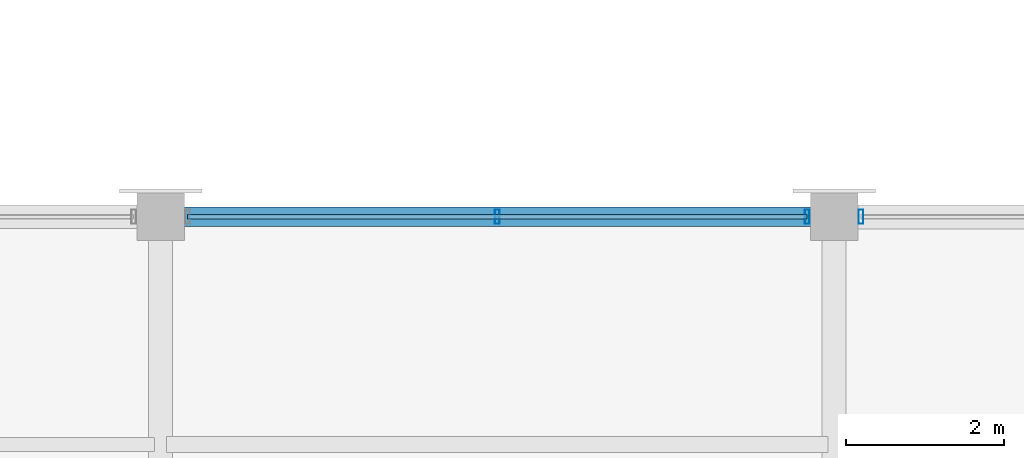
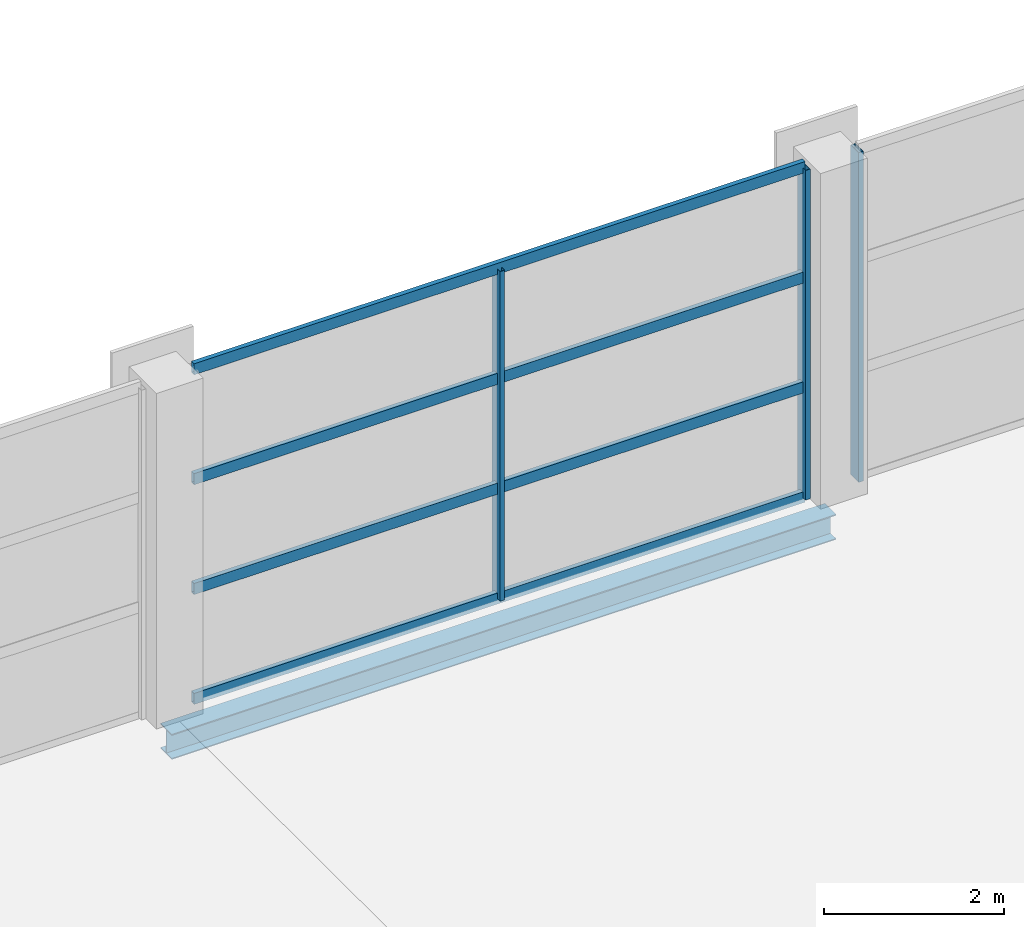
# One storey, part 16 of 46: 7 members, 1 beam, 2 elements without a shape of their own.
"""IFC4 building model written with IfcOpenShell, lengths in metres."""

from ifc_helpers import new_model, si_unit, direction, frame, origin, origin_2d, place, context, subcontext, project, spatial, hollow_rectangle, i_section, extrude, material, material_profile, profile_set, type_object, element, aggregate, save


model = new_model("IFC4")

# Units and contexts
model_context = context("Model", 3, precision=1e-05, world=origin(), true_north=direction((0.0, 1.0)))
body_context = subcontext(model_context, "Body", "Model", "MODEL_VIEW")
ifc_project = project(units=[si_unit("LENGTHUNIT", "METRE"), si_unit("AREAUNIT", "SQUARE_METRE"), si_unit("VOLUMEUNIT", "CUBIC_METRE"), si_unit("PLANEANGLEUNIT", "RADIAN"), si_unit("MASSUNIT", "GRAM", prefix="KILO")], contexts=[model_context])

# Site, building, storey
site_placement = place(None, origin())
site = spatial("IfcSite", under=ifc_project, at=site_placement, CompositionType="ELEMENT")
building_placement = place(site_placement, origin())
building = spatial("IfcBuilding", under=site, at=building_placement, Name="Solvikara Media Centre", CompositionType="ELEMENT")
storey_placement = place(building_placement, frame((0.0, 0.0, 24.60009765625)))
storey = spatial("IfcBuildingStorey", under=building, at=storey_placement, Name="L05", CompositionType="ELEMENT", Elevation=24.60009765625)

# Beam
ifc_material_1 = material(Name="Steel S355JR", Category="steel")
ifc_material_profile_1 = material_profile(ifc_material_1, i_section(OverallWidth=0.25, OverallDepth=0.340087890625, WebThickness=0.009033203125, FlangeThickness=0.013916015625, at=origin_2d()), Name="H 340x250x9x14")
ifc_profile_set_1 = profile_set([ifc_material_profile_1], Name="Steel S355JR")
beam_type = type_object("IfcBeamType", Name="BM-30", PredefinedType="BEAM", material=ifc_profile_set_1)
beam_placement = place(storey_placement, frame((51.0, 32.0, -0.4521484375), z_axis=(1.0, 0.0, 0.0), x_axis=(0.0, 1.0, 0.0)))
element("IfcBeam", 1, at=beam_placement, inside=storey, type_object=beam_type, Name="B-L05-X1648", PredefinedType="BEAM", context=body_context, shape_type="SweptSolid", body=[
    extrude(i_section(OverallWidth=0.25, OverallDepth=0.340087890625, WebThickness=0.009033203125, FlangeThickness=0.013916015625, at=origin_2d()), origin(), (0.0, 0.0, 1.0), 8.5),
])

# Curtain wall, members
ifc_material_2 = material(Name="Anodised aluminium EN AW-6063", Category="aluminium")
curtain_wall_type = type_object("IfcCurtainWallType", Name="CW-09", PredefinedType="NOTDEFINED", material=ifc_material_2)
curtain_wall_1_placement = place(storey_placement, origin())
curtain_wall_1 = element("IfcCurtainWall", 2, at=curtain_wall_1_placement, inside=storey, type_object=curtain_wall_type, Name="CW-L05-V6N-S2", PredefinedType="NOTDEFINED")
ifc_material_profile_2 = material_profile(ifc_material_2, hollow_rectangle(XDim=0.06005859375, YDim=0.179931640625, WallThickness=0.00341796875, at=origin_2d()), Name="ALU-M 60x180x3.5")
ifc_profile_set_2 = profile_set([ifc_material_profile_2], Name="Anodised aluminium EN AW-6063")
member_type_1 = type_object("IfcMemberType", Name="MF-03", PredefinedType="MULLION", material=ifc_profile_set_2)
member_1_placement = place(storey_placement, frame((55.25, 32.0, 0.02001953125), z_axis=(0.0, 0.0, 1.0), x_axis=(1.0, 0.0, 0.0)))
member_1 = element("IfcMember", 3, at=member_1_placement, type_object=member_type_1, Name="CW-L05-V6N-S2-M01", PredefinedType="MULLION", context=body_context, shape_type="SweptSolid", body=[
    extrude(hollow_rectangle(XDim=0.06005859375, YDim=0.179931640625, WallThickness=0.00341796875, at=origin_2d()), origin(), (0.0, 0.0, 1.0), 4.4599609375),
])
member_2_placement = place(storey_placement, frame((59.159912109375, 32.0, 0.02001953125), z_axis=(0.0, 0.0, 1.0), x_axis=(1.0, 0.0, 0.0)))
member_2 = element("IfcMember", 4, at=member_2_placement, type_object=member_type_1, Name="CW-L05-V6N-S2-M02", PredefinedType="MULLION", context=body_context, shape_type="SweptSolid", body=[
    extrude(hollow_rectangle(XDim=0.06005859375, YDim=0.179931640625, WallThickness=0.00341796875, at=origin_2d()), origin(), (0.0, 0.0, 1.0), 4.4599609375),
])

# Curtain wall, member
curtain_wall_2_placement = place(storey_placement, origin())
curtain_wall_2 = element("IfcCurtainWall", 5, at=curtain_wall_2_placement, inside=storey, type_object=curtain_wall_type, Name="CW-L05-V6N-S3", PredefinedType="NOTDEFINED")
member_3_placement = place(storey_placement, frame((59.840087890625, 32.0, 0.02001953125), z_axis=(0.0, 0.0, 1.0), x_axis=(1.0, 0.0, 0.0)))
member_3 = element("IfcMember", 6, at=member_3_placement, type_object=member_type_1, Name="CW-L05-V6N-S3-M00", PredefinedType="MULLION", context=body_context, shape_type="SweptSolid", body=[
    extrude(hollow_rectangle(XDim=0.06005859375, YDim=0.179931640625, WallThickness=0.00341796875, at=origin_2d()), origin(), (0.0, 0.0, 1.0), 4.4599609375),
])
aggregate(curtain_wall_2, [member_3])

# Member
ifc_material_profile_3 = material_profile(ifc_material_2, hollow_rectangle(XDim=0.06005859375, YDim=0.14990234375, WallThickness=0.0029296875, at=origin_2d()), Name="ALU-T 60x150x3")
ifc_profile_set_3 = profile_set([ifc_material_profile_3], Name="Anodised aluminium EN AW-6063")
member_type_2 = type_object("IfcMemberType", Name="MF-09", PredefinedType="USERDEFINED", material=ifc_profile_set_3)
member_4_placement = place(storey_placement, frame((51.340087890625, 32.0, 0.02001953125), z_axis=(1.0, 0.0, 0.0), x_axis=(0.0, 1.0, 0.0)))
member_4 = element("IfcMember", 7, at=member_4_placement, type_object=member_type_2, Name="CW-L05-V6N-S2-T00", ObjectType="TRANSOM", PredefinedType="USERDEFINED", context=body_context, shape_type="SweptSolid", body=[
    extrude(hollow_rectangle(XDim=0.06005859375, YDim=0.14990234375, WallThickness=0.0029296875, at=origin_2d()), origin(), (0.0, 0.0, 1.0), 7.81982421875),
])

member_5_placement = place(storey_placement, frame((51.340087890625, 32.0, 1.5068359375), z_axis=(1.0, 0.0, 0.0), x_axis=(0.0, 1.0, 0.0)))
member_5 = element("IfcMember", 8, at=member_5_placement, type_object=member_type_2, Name="CW-L05-V6N-S2-T01", ObjectType="TRANSOM", PredefinedType="USERDEFINED", context=body_context, shape_type="SweptSolid", body=[
    extrude(hollow_rectangle(XDim=0.06005859375, YDim=0.14990234375, WallThickness=0.0029296875, at=origin_2d()), origin(), (0.0, 0.0, 1.0), 7.81982421875),
])

member_6_placement = place(storey_placement, frame((51.340087890625, 32.0, 2.992919921875), z_axis=(1.0, 0.0, 0.0), x_axis=(0.0, 1.0, 0.0)))
member_6 = element("IfcMember", 9, at=member_6_placement, type_object=member_type_2, Name="CW-L05-V6N-S2-T02", ObjectType="TRANSOM", PredefinedType="USERDEFINED", context=body_context, shape_type="SweptSolid", body=[
    extrude(hollow_rectangle(XDim=0.06005859375, YDim=0.14990234375, WallThickness=0.0029296875, at=origin_2d()), origin(), (0.0, 0.0, 1.0), 7.81982421875),
])

member_7_placement = place(storey_placement, frame((51.340087890625, 32.0, 4.47998046875), z_axis=(1.0, 0.0, 0.0), x_axis=(0.0, 1.0, 0.0)))
member_7 = element("IfcMember", 10, at=member_7_placement, type_object=member_type_2, Name="CW-L05-V6N-S2-T03", ObjectType="TRANSOM", PredefinedType="USERDEFINED", context=body_context, shape_type="SweptSolid", body=[
    extrude(hollow_rectangle(XDim=0.06005859375, YDim=0.14990234375, WallThickness=0.0029296875, at=origin_2d()), origin(), (0.0, 0.0, 1.0), 7.81982421875),
])

aggregate(curtain_wall_1, [member_1, member_2, member_4, member_5, member_6, member_7])

save(model, "model.ifc")
